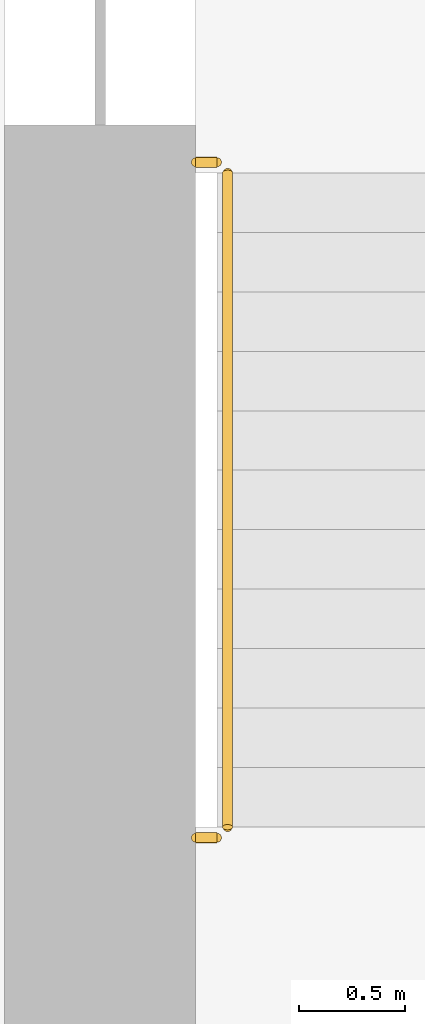
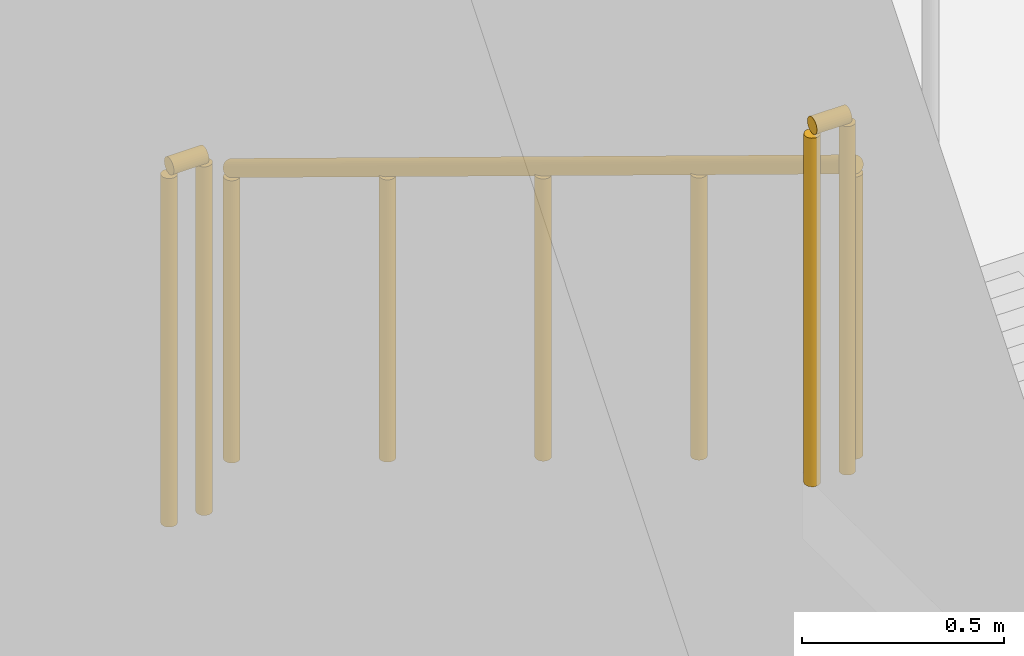
# One storey, part 11 of 18: 3 railings.
"""IFC4 building model written with IfcOpenShell, lengths in metres."""

from ifc_helpers import new_model, si_unit, direction, frame, origin, origin_2d, place, context, subcontext, project, spatial, circle, extrude, material, type_object, element, save


model = new_model("IFC4")

# Units and contexts
model_context = context("Model", 3, precision=1e-05, world=origin(), true_north=direction((0.0, 1.0)))
body_context = subcontext(model_context, "Body", "Model", "MODEL_VIEW")
ifc_project = project(units=[si_unit("LENGTHUNIT", "METRE"), si_unit("AREAUNIT", "SQUARE_METRE"), si_unit("VOLUMEUNIT", "CUBIC_METRE"), si_unit("PLANEANGLEUNIT", "RADIAN"), si_unit("MASSUNIT", "GRAM", prefix="KILO")], contexts=[model_context])

# Site, building, storey
site_placement = place(None, origin())
site = spatial("IfcSite", under=ifc_project, at=site_placement, CompositionType="ELEMENT")
building_placement = place(site_placement, origin())
building = spatial("IfcBuilding", under=site, at=building_placement, Name="Corbel Stack Research Tower", CompositionType="ELEMENT")
storey_placement = place(building_placement, frame((0.0, 0.0, 102.5)))
storey = spatial("IfcBuildingStorey", under=building, at=storey_placement, Name="L23", CompositionType="ELEMENT", Elevation=102.5)

# Railings
ifc_material_1 = material(Name="Steel S355", Category="steel")
railing_type_1 = type_object("IfcRailingType", Name="Stair guard 1100", PredefinedType="GUARDRAIL", material=ifc_material_1)
for number, where, name in (
    (1, (-9.60009765625, -5.530029296875, 2.050048828125), "L23 ST-W1 stair guard 3"),
    (2, (-9.60009765625, -2.35009765625, 0.0), "L23 ST-W1 stair guard 6"),
):
    element("IfcRailing", number, at=place(storey_placement, frame(where)), inside=storey, type_object=railing_type_1, Name=name, PredefinedType="GUARDRAIL", context=body_context, shape_type="SweptSolid", body=[
        extrude(circle(Radius=0.02392578125, at=origin_2d()), frame((0.0, 0.0, 1.076171875), z_axis=(1.0, 0.0, 0.0), x_axis=(0.0, 1.0, 0.0)), (0.0, 0.0, 1.0), 0.10009765625),
        extrude(circle(Radius=0.02099609375, at=origin_2d()), origin(), (0.0, 0.0, 1.0), 1.052001953125),
        extrude(circle(Radius=0.02099609375, at=origin_2d()), frame((0.10009765625, 0.0, 0.0)), (0.0, 0.0, 1.0), 1.052001953125),
    ])
ifc_material_2 = material(Name="Steel S355", Category="steel")
railing_type_2 = type_object("IfcRailingType", Name="Stair handrail 900", PredefinedType="HANDRAIL", material=ifc_material_2)
railing_placement = place(storey_placement, frame((-9.449951171875, -2.39990234375, 0.1708984375)))
element("IfcRailing", 3, at=railing_placement, inside=storey, type_object=railing_type_2, Name="L23 ST-W1 stair handrail 1", PredefinedType="HANDRAIL", context=body_context, shape_type="SweptSolid", body=[
    extrude(circle(Radius=0.02392578125, at=origin_2d()), frame((0.0, 0.0, 0.8759765625), z_axis=(0.0, -0.853666305674, 0.52082035152), x_axis=(1.0, 0.0, 0.0)), (0.0, 0.0, 1.0), 3.608154296875),
    extrude(circle(Radius=0.02099609375, at=origin_2d()), origin(), (0.0, 0.0, 1.0), 0.851806640625),
    extrude(circle(Radius=0.02099609375, at=origin_2d()), frame((0.0, -0.77001953125, 0.4697265625)), (0.0, 0.0, 1.0), 0.851806640625),
    extrude(circle(Radius=0.02099609375, at=origin_2d()), frame((0.0, -1.5400390625, 0.939453125)), (0.0, 0.0, 1.0), 0.851806640625),
    extrude(circle(Radius=0.02099609375, at=origin_2d()), frame((0.0, -2.31005859375, 1.409423828125)), (0.0, 0.0, 1.0), 0.851806640625),
    extrude(circle(Radius=0.02099609375, at=origin_2d()), frame((0.0, -3.080078125, 1.879150390625)), (0.0, 0.0, 1.0), 0.851806640625),
])

save(model, "model.ifc")
